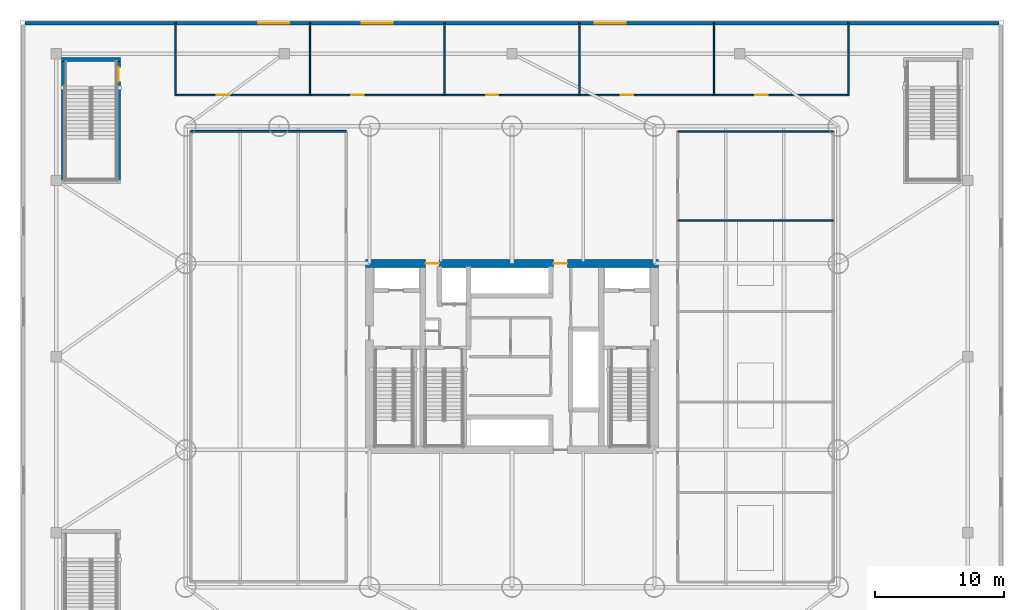
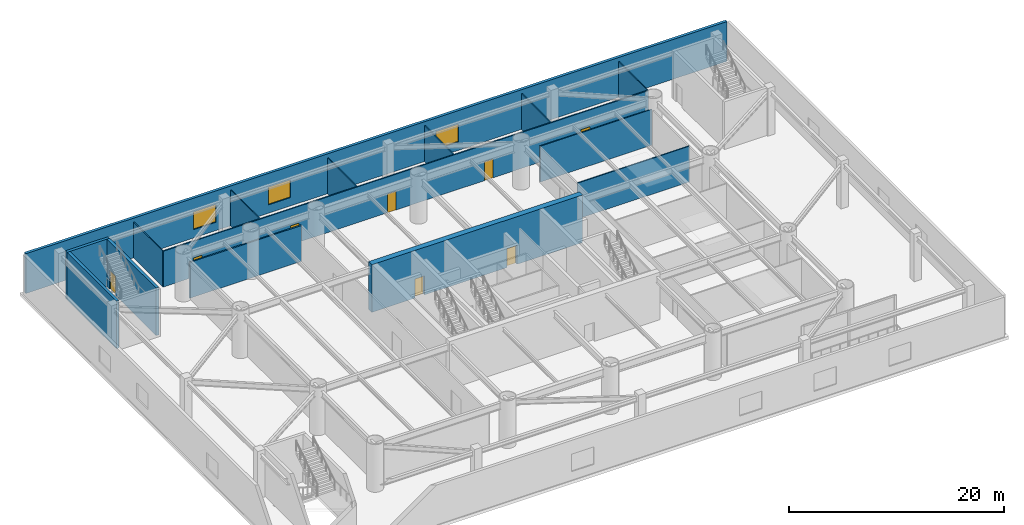
# One storey, part 8 of 16: 15 walls, 8 doors, 3 windows, 11 openings.
"""IFC4 building model written with IfcOpenShell, lengths in metres."""

from ifc_helpers import new_model, si_unit, direction, frame, frame_2d, origin, place, context, subcontext, project, spatial, rectangle, extrude, material, layer, layer_set, type_object, element, fill, save


model = new_model("IFC4")

# Units and contexts
model_context = context("Model", 3, precision=1e-05, world=origin(), true_north=direction((0.0, 1.0)))
body_context = subcontext(model_context, "Body", "Model", "MODEL_VIEW")
ifc_project = project(units=[si_unit("LENGTHUNIT", "METRE"), si_unit("AREAUNIT", "SQUARE_METRE"), si_unit("VOLUMEUNIT", "CUBIC_METRE"), si_unit("PLANEANGLEUNIT", "RADIAN"), si_unit("MASSUNIT", "GRAM", prefix="KILO")], contexts=[model_context])

# Site, building, storey
site_placement = place(None, origin())
site = spatial("IfcSite", under=ifc_project, at=site_placement, CompositionType="ELEMENT")
building_placement = place(site_placement, origin())
building = spatial("IfcBuilding", under=site, at=building_placement, Name="Bramvorn Convention Spire", CompositionType="ELEMENT")
storey_placement = place(building_placement, frame((0.0, 0.0, 30.0)))
storey = spatial("IfcBuildingStorey", under=building, at=storey_placement, Name="L05", CompositionType="ELEMENT", Elevation=30.0)

# Wall, openings, doors
ifc_material_1 = material(Name="Concrete C60/70", Category="concrete")
ifc_layer_1 = layer(ifc_material_1, 0.60009765625)
ifc_layer_set_1 = layer_set([ifc_layer_1], Name="Concrete C60/70 - WL-CORE-600")
wall_type_1 = type_object("IfcWallType", Name="WL-CORE-600", PredefinedType="SHEAR", material=ifc_layer_set_1)
wall_1_placement = place(storey_placement, frame((26.699951171875, 33.199951171875, 0.0), z_axis=(0.0, 0.0, 1.0), x_axis=(1.0, 0.0, 0.0)))
wall_1 = element("IfcWall", 1, at=wall_1_placement, inside=storey, type_object=wall_type_1, Name="L05 North RC core shear wall", PredefinedType="SHEAR", context=body_context, shape_type="SweptSolid", body=[
    extrude(rectangle(XDim=22.60009765625, YDim=0.60009765625, at=frame_2d((11.300048828125, 0.0))), origin(), (0.0, 0.0, 1.0), 5.39990234375),
])
opening_1_placement = place(wall_1_placement, frame((4.6201171875, 0.0, 0.0)))
opening_1 = element("IfcOpeningElement", 2, at=opening_1_placement, cuts=wall_1, Name="Opening DL-105", PredefinedType="OPENING", context=body_context, shape_type="SweptSolid", body=[
    extrude(rectangle(XDim=1.050048828125, YDim=2.14990234375, at=frame_2d((0.52490234375, 1.074951171875))), frame((0.0, 0.31005859375, 0.0), z_axis=(0.0, -1.0, 0.0), x_axis=(1.0, 0.0, 0.0)), (0.0, 0.0, 1.0), 0.6201171875),
])
opening_2_placement = place(wall_1_placement, frame((14.52001953125, 0.0, 0.0)))
opening_2 = element("IfcOpeningElement", 3, at=opening_2_placement, cuts=wall_1, Name="Opening DL-105", PredefinedType="OPENING", context=body_context, shape_type="SweptSolid", body=[
    extrude(rectangle(XDim=1.050048828125, YDim=2.14990234375, at=frame_2d((0.52490234375, 1.074951171875))), frame((0.0, 0.31005859375, 0.0), z_axis=(0.0, -1.0, 0.0), x_axis=(1.0, 0.0, 0.0)), (0.0, 0.0, 1.0), 0.6201171875),
])
ifc_material_2 = material(Name="Smoke-Sealed Fire Lobby Timber-Core Door", Category="wood")
door_type_1 = type_object("IfcDoorType", Name="DR-LOBBY-1050", OperationType="NOTDEFINED", PredefinedType="DOOR", material=ifc_material_2)
door_1_placement = place(opening_1_placement, origin())
door_1 = element("IfcDoor", 4, at=door_1_placement, inside=storey, type_object=door_type_1, Name="L05 Service & Stair ST3 Lobby north corridor door", OperationType="SINGLE_SWING_LEFT", OverallHeight=2.14990234375, OverallWidth=1.050048828125, PredefinedType="DOOR", context=body_context, shape_type="SweptSolid", body=[
    extrude(rectangle(XDim=1.050048828125, YDim=2.14990234375, at=frame_2d((0.52490234375, 1.074951171875))), frame((0.0, 0.02490234375, 0.0), z_axis=(0.0, -1.0, 0.0), x_axis=(1.0, 0.0, 0.0)), (0.0, 0.0, 1.0), 0.050048828125),
])
fill(opening_1, door_1)
door_2_placement = place(opening_2_placement, origin())
door_2 = element("IfcDoor", 5, at=door_2_placement, inside=storey, type_object=door_type_1, Name="L05 North Lift Lobby fire door", OperationType="SINGLE_SWING_LEFT", OverallHeight=2.14990234375, OverallWidth=1.050048828125, PredefinedType="DOOR", context=body_context, shape_type="SweptSolid", body=[
    extrude(rectangle(XDim=1.050048828125, YDim=2.14990234375, at=frame_2d((0.52490234375, 1.074951171875))), frame((0.0, 0.02490234375, 0.0), z_axis=(0.0, -1.0, 0.0), x_axis=(1.0, 0.0, 0.0)), (0.0, 0.0, 1.0), 0.050048828125),
])
fill(opening_2, door_2)

# Wall, openings, windows
ifc_material_3 = material(Name="Precast Concrete C40/50 with Bronze Terracotta Rainscreen", Category="masonry")
ifc_layer_2 = layer(ifc_material_3, 0.300048828125)
ifc_layer_set_2 = layer_set([ifc_layer_2], Name="Precast Concrete C40/50 with Bronze Terracotta Rainscreen - WL-EXT-BRONZE-300")
wall_type_2 = type_object("IfcWallType", Name="WL-EXT-BRONZE-300", PredefinedType="SOLIDWALL", material=ifc_layer_set_2)
wall_2_placement = place(storey_placement, frame((0.39990234375, 51.75, 0.0), z_axis=(0.0, 0.0, 1.0), x_axis=(1.0, 0.0, 0.0)))
wall_2 = element("IfcWall", 6, at=wall_2_placement, inside=storey, type_object=wall_type_2, Name="L05 North podium bronze facade wall", PredefinedType="SOLIDWALL", context=body_context, shape_type="SweptSolid", body=[
    extrude(rectangle(XDim=75.2001953125, YDim=0.300048828125, at=frame_2d((37.60009765625, 0.0))), origin(), (0.0, 0.0, 1.0), 4.510009765625),
])
opening_3_placement = place(wall_2_placement, frame((18.0, 0.0, 0.949951171875)))
opening_3 = element("IfcOpeningElement", 7, at=opening_3_placement, cuts=wall_2, Name="Opening WN05", PredefinedType="OPENING", context=body_context, shape_type="SweptSolid", body=[
    extrude(rectangle(XDim=2.39990234375, YDim=2.0, at=frame_2d((1.199951171875, 1.0))), frame((0.0, 0.159912109375, 0.0), z_axis=(0.0, -1.0, 0.0), x_axis=(1.0, 0.0, 0.0)), (0.0, 0.0, 1.0), 0.320068359375),
])
opening_4_placement = place(wall_2_placement, frame((26.0, 0.0, 0.949951171875)))
opening_4 = element("IfcOpeningElement", 8, at=opening_4_placement, cuts=wall_2, Name="Opening WN05", PredefinedType="OPENING", context=body_context, shape_type="SweptSolid", body=[
    extrude(rectangle(XDim=2.39990234375, YDim=2.0, at=frame_2d((1.199951171875, 1.0))), frame((0.0, 0.159912109375, 0.0), z_axis=(0.0, -1.0, 0.0), x_axis=(1.0, 0.0, 0.0)), (0.0, 0.0, 1.0), 0.320068359375),
])
opening_5_placement = place(wall_2_placement, frame((44.0, 0.0, 0.949951171875)))
opening_5 = element("IfcOpeningElement", 9, at=opening_5_placement, cuts=wall_2, Name="Opening WN05", PredefinedType="OPENING", context=body_context, shape_type="SweptSolid", body=[
    extrude(rectangle(XDim=2.39990234375, YDim=2.0, at=frame_2d((1.199951171875, 1.0))), frame((0.0, 0.159912109375, 0.0), z_axis=(0.0, -1.0, 0.0), x_axis=(1.0, 0.0, 0.0)), (0.0, 0.0, 1.0), 0.320068359375),
])
ifc_material_4 = material(Name="Thermally Broken Bronze Aluminium & Triple Low-E Glass", Category="aluminium")
window_type = type_object("IfcWindowType", Name="WN-OP-2400X2000", PartitioningType="SINGLE_PANEL", PredefinedType="WINDOW", material=ifc_material_4)
window_1_placement = place(opening_3_placement, origin())
window_1 = element("IfcWindow", 10, at=window_1_placement, inside=storey, type_object=window_type, Name="L05 North operable convention window 2", OverallHeight=2.0, OverallWidth=2.39990234375, PartitioningType="SINGLE_PANEL", PredefinedType="WINDOW", context=body_context, shape_type="SweptSolid", body=[
    extrude(rectangle(XDim=2.39990234375, YDim=2.0, at=frame_2d((1.199951171875, 1.0))), frame((0.0, 0.030029296875, 0.0), z_axis=(0.0, -1.0, 0.0), x_axis=(1.0, 0.0, 0.0)), (0.0, 0.0, 1.0), 0.06005859375),
])
fill(opening_3, window_1)
window_2_placement = place(opening_4_placement, origin())
window_2 = element("IfcWindow", 11, at=window_2_placement, inside=storey, type_object=window_type, Name="L05 North operable convention window 3", OverallHeight=2.0, OverallWidth=2.39990234375, PartitioningType="SINGLE_PANEL", PredefinedType="WINDOW", context=body_context, shape_type="SweptSolid", body=[
    extrude(rectangle(XDim=2.39990234375, YDim=2.0, at=frame_2d((1.199951171875, 1.0))), frame((0.0, 0.030029296875, 0.0), z_axis=(0.0, -1.0, 0.0), x_axis=(1.0, 0.0, 0.0)), (0.0, 0.0, 1.0), 0.06005859375),
])
fill(opening_4, window_2)
window_3_placement = place(opening_5_placement, origin())
window_3 = element("IfcWindow", 12, at=window_3_placement, inside=storey, type_object=window_type, Name="L05 North operable convention window 4", OverallHeight=2.0, OverallWidth=2.39990234375, PartitioningType="SINGLE_PANEL", PredefinedType="WINDOW", context=body_context, shape_type="SweptSolid", body=[
    extrude(rectangle(XDim=2.39990234375, YDim=2.0, at=frame_2d((1.199951171875, 1.0))), frame((0.0, 0.030029296875, 0.0), z_axis=(0.0, -1.0, 0.0), x_axis=(1.0, 0.0, 0.0)), (0.0, 0.0, 1.0), 0.06005859375),
])
fill(opening_5, window_3)

# Walls
ifc_material_5 = material(Name="Lightweight En-Suite & Wet-Wall Partition", Category="gypsum")
ifc_layer_3 = layer(ifc_material_5, 0.110107421875)
ifc_layer_set_3 = layer_set([ifc_layer_3], Name="Lightweight En-Suite & Wet-Wall Partition - WL-PART-110")
wall_type_3 = type_object("IfcWallType", Name="WL-PART-110", PredefinedType="PARTITIONING", material=ifc_layer_set_3)
for number, where, z_axis, x_axis, name in (
    (13, (50.800048828125, 36.5, 0.0), (0.0, 0.0, 1.0), (1.0, 0.0, 0.0), "L05 Seminar divider 4"),
    (14, (50.800048828125, 43.39990234375, 0.0), (0.0, 0.0, 1.0), (1.0, 0.0, 0.0), "L05 Seminar north wall"),
):
    element("IfcWall", number, at=place(storey_placement, frame(where, z_axis=z_axis, x_axis=x_axis)), inside=storey, type_object=wall_type_3, Name=name, PredefinedType="PARTITIONING", context=body_context, shape_type="SweptSolid", body=[
        extrude(rectangle(XDim=12.0, YDim=0.110107421875, at=frame_2d((6.0, 0.0))), origin(), (0.0, 0.0, 1.0), 4.06005859375),
    ])
for number, where, z_axis, x_axis, name in (
    (15, (12.0, 46.199951171875, 0.0), (0.0, 0.0, 1.0), (0.0, 1.0, 0.0), "L05 North divider 0"),
    (16, (22.39990234375, 46.199951171875, 0.0), (0.0, 0.0, 1.0), (0.0, 1.0, 0.0), "L05 North divider 1"),
    (17, (32.800048828125, 46.199951171875, 0.0), (0.0, 0.0, 1.0), (0.0, 1.0, 0.0), "L05 North divider 2"),
    (18, (43.199951171875, 46.199951171875, 0.0), (0.0, 0.0, 1.0), (0.0, 1.0, 0.0), "L05 North divider 3"),
    (19, (53.60009765625, 46.199951171875, 0.0), (0.0, 0.0, 1.0), (0.0, 1.0, 0.0), "L05 North divider 4"),
    (20, (64.0, 46.199951171875, 0.0), (0.0, 0.0, 1.0), (0.0, 1.0, 0.0), "L05 North east end wall"),
):
    element("IfcWall", number, at=place(storey_placement, frame(where, z_axis=z_axis, x_axis=x_axis)), inside=storey, type_object=wall_type_3, Name=name, PredefinedType="PARTITIONING", context=body_context, shape_type="SweptSolid", body=[
        extrude(rectangle(XDim=5.66015625, YDim=0.110107421875, at=frame_2d((2.830078125, 0.0))), origin(), (0.0, 0.0, 1.0), 4.06005859375),
    ])

# Wall, openings, doors
ifc_material_6 = material(Name="Metal-Stud Demountable Office Partition", Category="gypsum")
ifc_layer_4 = layer(ifc_material_6, 0.1298828125)
ifc_layer_set_4 = layer_set([ifc_layer_4], Name="Metal-Stud Demountable Office Partition - WL-PART-130")
wall_type_4 = type_object("IfcWallType", Name="WL-PART-130", PredefinedType="PARTITIONING", material=ifc_layer_set_4)
wall_3_placement = place(storey_placement, frame((12.0, 46.199951171875, 0.0), z_axis=(0.0, 0.0, 1.0), x_axis=(1.0, 0.0, 0.0)))
wall_3 = element("IfcWall", 21, at=wall_3_placement, inside=storey, type_object=wall_type_4, Name="L05 North Congress suite wall", PredefinedType="PARTITIONING", context=body_context, shape_type="SweptSolid", body=[
    extrude(rectangle(XDim=52.0, YDim=0.1298828125, at=frame_2d((26.0, 0.0))), origin(), (0.0, 0.0, 1.0), 4.06005859375),
])
opening_6_placement = place(wall_3_placement, frame((3.199951171875, 0.0, 0.0)))
opening_6 = element("IfcOpeningElement", 22, at=opening_6_placement, cuts=wall_3, Name="Opening DI-095", PredefinedType="OPENING", context=body_context, shape_type="SweptSolid", body=[
    extrude(rectangle(XDim=0.949951171875, YDim=2.14990234375, at=frame_2d((0.47509765625, 1.074951171875))), frame((0.0, 0.074951171875, 0.0), z_axis=(0.0, -1.0, 0.0), x_axis=(1.0, 0.0, 0.0)), (0.0, 0.0, 1.0), 0.14990234375),
])
opening_7_placement = place(wall_3_placement, frame((13.60009765625, 0.0, 0.0)))
opening_7 = element("IfcOpeningElement", 23, at=opening_7_placement, cuts=wall_3, Name="Opening DI-095", PredefinedType="OPENING", context=body_context, shape_type="SweptSolid", body=[
    extrude(rectangle(XDim=0.949951171875, YDim=2.14990234375, at=frame_2d((0.47509765625, 1.074951171875))), frame((0.0, 0.074951171875, 0.0), z_axis=(0.0, -1.0, 0.0), x_axis=(1.0, 0.0, 0.0)), (0.0, 0.0, 1.0), 0.14990234375),
])
opening_8_placement = place(wall_3_placement, frame((24.0, 0.0, 0.0)))
opening_8 = element("IfcOpeningElement", 24, at=opening_8_placement, cuts=wall_3, Name="Opening DI-095", PredefinedType="OPENING", context=body_context, shape_type="SweptSolid", body=[
    extrude(rectangle(XDim=0.949951171875, YDim=2.14990234375, at=frame_2d((0.47509765625, 1.074951171875))), frame((0.0, 0.074951171875, 0.0), z_axis=(0.0, -1.0, 0.0), x_axis=(1.0, 0.0, 0.0)), (0.0, 0.0, 1.0), 0.14990234375),
])
opening_9_placement = place(wall_3_placement, frame((34.39990234375, 0.0, 0.0)))
opening_9 = element("IfcOpeningElement", 25, at=opening_9_placement, cuts=wall_3, Name="Opening DI-095", PredefinedType="OPENING", context=body_context, shape_type="SweptSolid", body=[
    extrude(rectangle(XDim=0.949951171875, YDim=2.14990234375, at=frame_2d((0.47509765625, 1.074951171875))), frame((0.0, 0.074951171875, 0.0), z_axis=(0.0, -1.0, 0.0), x_axis=(1.0, 0.0, 0.0)), (0.0, 0.0, 1.0), 0.14990234375),
])
opening_10_placement = place(wall_3_placement, frame((44.800048828125, 0.0, 0.0)))
opening_10 = element("IfcOpeningElement", 26, at=opening_10_placement, cuts=wall_3, Name="Opening DI-095", PredefinedType="OPENING", context=body_context, shape_type="SweptSolid", body=[
    extrude(rectangle(XDim=0.949951171875, YDim=2.14990234375, at=frame_2d((0.47509765625, 1.074951171875))), frame((0.0, 0.074951171875, 0.0), z_axis=(0.0, -1.0, 0.0), x_axis=(1.0, 0.0, 0.0)), (0.0, 0.0, 1.0), 0.14990234375),
])
ifc_material_7 = material(Name="Stained White-Oak Acoustic Suite Door", Category="wood")
door_type_2 = type_object("IfcDoorType", Name="DR-INT-950", OperationType="NOTDEFINED", PredefinedType="DOOR", material=ifc_material_7)
door_3_placement = place(opening_6_placement, origin())
door_3 = element("IfcDoor", 27, at=door_3_placement, inside=storey, type_object=door_type_2, Name="L05 Press Briefing Room door", OperationType="SINGLE_SWING_LEFT", OverallHeight=2.14990234375, OverallWidth=0.949951171875, PredefinedType="DOOR", context=body_context, shape_type="SweptSolid", body=[
    extrude(rectangle(XDim=0.949951171875, YDim=2.14990234375, at=frame_2d((0.47509765625, 1.074951171875))), frame((0.0, 0.02490234375, 0.0), z_axis=(0.0, -1.0, 0.0), x_axis=(1.0, 0.0, 0.0)), (0.0, 0.0, 1.0), 0.050048828125),
])
fill(opening_6, door_3)
door_4_placement = place(opening_7_placement, origin())
door_4 = element("IfcDoor", 28, at=door_4_placement, inside=storey, type_object=door_type_2, Name="L05 VIP Speaker Suite door", OperationType="SINGLE_SWING_LEFT", OverallHeight=2.14990234375, OverallWidth=0.949951171875, PredefinedType="DOOR", context=body_context, shape_type="SweptSolid", body=[
    extrude(rectangle(XDim=0.949951171875, YDim=2.14990234375, at=frame_2d((0.47509765625, 1.074951171875))), frame((0.0, 0.02490234375, 0.0), z_axis=(0.0, -1.0, 0.0), x_axis=(1.0, 0.0, 0.0)), (0.0, 0.0, 1.0), 0.050048828125),
])
fill(opening_7, door_4)
door_5_placement = place(opening_8_placement, origin())
door_5 = element("IfcDoor", 29, at=door_5_placement, inside=storey, type_object=door_type_2, Name="L05 Congress Public Restrooms door", OperationType="SINGLE_SWING_LEFT", OverallHeight=2.14990234375, OverallWidth=0.949951171875, PredefinedType="DOOR", context=body_context, shape_type="SweptSolid", body=[
    extrude(rectangle(XDim=0.949951171875, YDim=2.14990234375, at=frame_2d((0.47509765625, 1.074951171875))), frame((0.0, 0.02490234375, 0.0), z_axis=(0.0, -1.0, 0.0), x_axis=(1.0, 0.0, 0.0)), (0.0, 0.0, 1.0), 0.050048828125),
])
fill(opening_8, door_5)
door_6_placement = place(opening_9_placement, origin())
door_6 = element("IfcDoor", 30, at=door_6_placement, inside=storey, type_object=door_type_2, Name="L05 Banquet Plating Kitchen door", OperationType="SINGLE_SWING_LEFT", OverallHeight=2.14990234375, OverallWidth=0.949951171875, PredefinedType="DOOR", context=body_context, shape_type="SweptSolid", body=[
    extrude(rectangle(XDim=0.949951171875, YDim=2.14990234375, at=frame_2d((0.47509765625, 1.074951171875))), frame((0.0, 0.02490234375, 0.0), z_axis=(0.0, -1.0, 0.0), x_axis=(1.0, 0.0, 0.0)), (0.0, 0.0, 1.0), 0.050048828125),
])
fill(opening_9, door_6)
door_7_placement = place(opening_10_placement, origin())
door_7 = element("IfcDoor", 31, at=door_7_placement, inside=storey, type_object=door_type_2, Name="L05 Simultaneous Interpretation Hub door", OperationType="SINGLE_SWING_LEFT", OverallHeight=2.14990234375, OverallWidth=0.949951171875, PredefinedType="DOOR", context=body_context, shape_type="SweptSolid", body=[
    extrude(rectangle(XDim=0.949951171875, YDim=2.14990234375, at=frame_2d((0.47509765625, 1.074951171875))), frame((0.0, 0.02490234375, 0.0), z_axis=(0.0, -1.0, 0.0), x_axis=(1.0, 0.0, 0.0)), (0.0, 0.0, 1.0), 0.050048828125),
])
fill(opening_10, door_7)

# Walls
ifc_material_8 = material(Name="Acoustic Metal-Stud Tenant/Corridor Partition", Category="gypsum")
ifc_layer_5 = layer(ifc_material_8, 0.14990234375)
ifc_layer_set_5 = layer_set([ifc_layer_5], Name="Acoustic Metal-Stud Tenant/Corridor Partition - WL-PART-150")
wall_type_5 = type_object("IfcWallType", Name="WL-PART-150", PredefinedType="PARTITIONING", material=ifc_layer_set_5)
wall_4_placement = place(storey_placement, frame((13.199951171875, 43.39990234375, 0.0), z_axis=(0.0, 0.0, 1.0), x_axis=(1.0, 0.0, 0.0)))
element("IfcWall", 32, at=wall_4_placement, inside=storey, type_object=wall_type_5, Name="L05 Ballroom north wall", PredefinedType="PARTITIONING", context=body_context, shape_type="SweptSolid", body=[
    extrude(rectangle(XDim=12.0, YDim=0.14990234375, at=frame_2d((6.0, 0.0))), origin(), (0.0, 0.0, 1.0), 4.06005859375),
])
ifc_material_9 = material(Name="Concrete C50/60", Category="concrete")
ifc_layer_6 = layer(ifc_material_9, 0.300048828125)
ifc_layer_set_6 = layer_set([ifc_layer_6], Name="Concrete C50/60 - WL-POD-STAIR-300")
wall_type_6 = type_object("IfcWallType", Name="WL-POD-STAIR-300", PredefinedType="SHEAR", material=ifc_layer_set_6)
wall_5_placement = place(storey_placement, frame((3.2099609375, 48.93994140625, 0.0), z_axis=(0.0, 0.0, 1.0), x_axis=(1.0, 0.0, 0.0)))
element("IfcWall", 33, at=wall_5_placement, inside=storey, type_object=wall_type_6, Name="L05 ST6 north shaft wall", PredefinedType="SHEAR", context=body_context, shape_type="SweptSolid", body=[
    extrude(rectangle(XDim=4.56005859375, YDim=0.300048828125, at=frame_2d((2.280029296875, 0.0))), origin(), (0.0, 0.0, 1.0), 5.39990234375),
])
wall_6_placement = place(storey_placement, frame((3.360107421875, 39.659912109375, 0.0), z_axis=(0.0, 0.0, 1.0), x_axis=(0.0, 1.0, 0.0)))
element("IfcWall", 34, at=wall_6_placement, inside=storey, type_object=wall_type_6, Name="L05 ST6 west shaft wall", PredefinedType="SHEAR", context=body_context, shape_type="SweptSolid", body=[
    extrude(rectangle(XDim=9.130126953125, YDim=0.300048828125, at=frame_2d((4.56494140625, 0.0))), origin(), (0.0, 0.0, 1.0), 5.39990234375),
])

# Wall, opening, door
wall_7_placement = place(storey_placement, frame((7.6201171875, 48.7900390625, 0.0), z_axis=(0.0, 0.0, 1.0), x_axis=(0.0, -1.0, 0.0)))
wall_7 = element("IfcWall", 35, at=wall_7_placement, inside=storey, type_object=wall_type_6, Name="L05 ST6 east shaft wall", PredefinedType="SHEAR", context=body_context, shape_type="SweptSolid", body=[
    extrude(rectangle(XDim=9.130126953125, YDim=0.300048828125, at=frame_2d((4.56494140625, 0.0))), origin(), (0.0, 0.0, 1.0), 5.39990234375),
])
opening_11_placement = place(wall_7_placement, frame((0.449951171875, 0.0, 0.0)))
opening_11 = element("IfcOpeningElement", 36, at=opening_11_placement, cuts=wall_7, Name="Opening DS-110", PredefinedType="OPENING", context=body_context, shape_type="SweptSolid", body=[
    extrude(rectangle(XDim=1.10009765625, YDim=2.14990234375, at=frame_2d((0.550048828125, 1.074951171875))), frame((0.0, 0.159912109375, 0.0), z_axis=(0.0, -1.0, 0.0), x_axis=(1.0, 0.0, 0.0)), (0.0, 0.0, 1.0), 0.320068359375),
])
ifc_material_10 = material(Name="Fire-Rated Hollow Steel Stairwell Door", Category="steel")
door_type_3 = type_object("IfcDoorType", Name="DR-STAIR-1100", OperationType="NOTDEFINED", PredefinedType="DOOR", material=ifc_material_10)
door_8_placement = place(opening_11_placement, origin())
door_8 = element("IfcDoor", 37, at=door_8_placement, inside=storey, type_object=door_type_3, Name="L05 ST6 exit stairwell door", OperationType="SINGLE_SWING_LEFT", OverallHeight=2.14990234375, OverallWidth=1.10009765625, PredefinedType="DOOR", context=body_context, shape_type="SweptSolid", body=[
    extrude(rectangle(XDim=1.10009765625, YDim=2.14990234375, at=frame_2d((0.550048828125, 1.074951171875))), frame((0.0, 0.02490234375, 0.0), z_axis=(0.0, -1.0, 0.0), x_axis=(1.0, 0.0, 0.0)), (0.0, 0.0, 1.0), 0.050048828125),
])
fill(opening_11, door_8)

save(model, "model.ifc")
